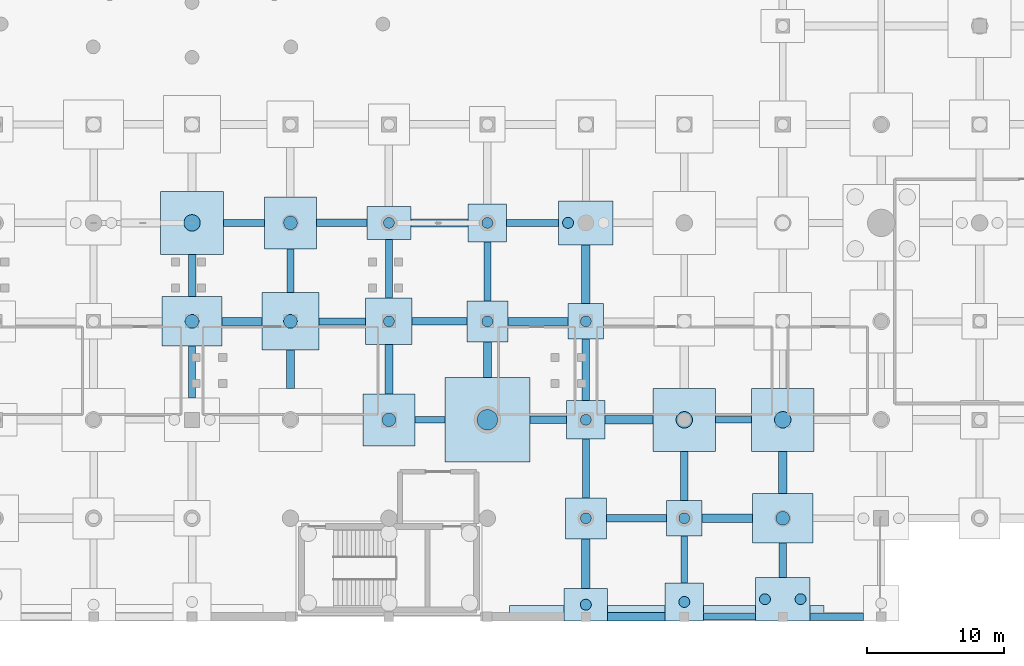
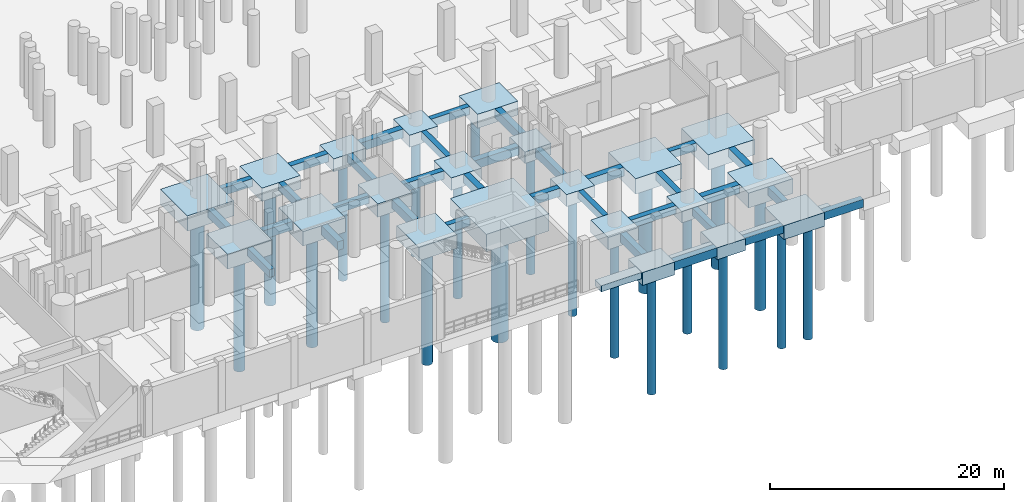
# One storey, part 4 of 37: 55 footings, 22 piles.
"""IFC4 building model written with IfcOpenShell, lengths in metres."""

from ifc_helpers import new_model, si_unit, direction, frame, origin, origin_2d, place, context, subcontext, project, spatial, rectangle, circle, extrude, material, material_profile, profile_set, type_object, element, save


model = new_model("IFC4")

# Units and contexts
model_context = context("Model", 3, precision=1e-05, world=origin(), true_north=direction((0.0, 1.0)))
body_context = subcontext(model_context, "Body", "Model", "MODEL_VIEW")
ifc_project = project(units=[si_unit("LENGTHUNIT", "METRE"), si_unit("AREAUNIT", "SQUARE_METRE"), si_unit("VOLUMEUNIT", "CUBIC_METRE"), si_unit("PLANEANGLEUNIT", "RADIAN"), si_unit("MASSUNIT", "GRAM", prefix="KILO")], contexts=[model_context])

# Site, building, storey
site_placement = place(None, origin())
site = spatial("IfcSite", under=ifc_project, at=site_placement, CompositionType="ELEMENT")
building_placement = place(site_placement, origin())
building = spatial("IfcBuilding", under=site, at=building_placement, Name="Qandorah Velis Arena", CompositionType="ELEMENT")
storey_placement = place(building_placement, frame((0.0, 0.0, -5.39990234375)))
storey = spatial("IfcBuildingStorey", under=building, at=storey_placement, Name="B1", CompositionType="ELEMENT", Elevation=-5.39990234375)

# Footings
ifc_material = material(Name="Concrete C40/50", Category="concrete")
footing_type_1 = type_object("IfcFootingType", Name="STR-CAP-PC1", PredefinedType="PILE_CAP", material=ifc_material)
footing_1_placement = place(storey_placement, frame((86.39990234375, 14.39990234375, -1.80029296875), z_axis=(0.0, 0.0, 1.0), x_axis=(1.0, 0.0, 0.0)))
element("IfcFooting", 1, at=footing_1_placement, inside=storey, type_object=footing_type_1, Name="Pile cap CAP-B1-174", PredefinedType="PILE_CAP", context=body_context, shape_type="SweptSolid", body=[
    extrude(rectangle(XDim=6.199951171875, YDim=6.199951171875, at=origin_2d()), origin(), (0.0, 0.0, 1.0), 1.800048828125),
])
footing_type_2 = type_object("IfcFootingType", Name="STR-CAP-PC10", PredefinedType="PILE_CAP", material=ifc_material)
for number, where, z_axis, x_axis, name in (
    (2, (93.60009765625, 21.60009765625, -1.2001953125), (0.0, 0.0, 1.0), (1.0, 0.0, 0.0), "Pile cap CAP-B1-187"),
    (3, (100.800048828125, 7.199951171875, -1.2001953125), (0.0, 0.0, 1.0), (1.0, 0.0, 0.0), "Pile cap CAP-B1-197"),
):
    element("IfcFooting", number, at=place(storey_placement, frame(where, z_axis=z_axis, x_axis=x_axis)), inside=storey, type_object=footing_type_2, Name=name, PredefinedType="PILE_CAP", context=body_context, shape_type="SweptSolid", body=[
        extrude(rectangle(XDim=2.60009765625, YDim=2.60009765625, at=origin_2d()), origin(), (0.0, 0.0, 1.0), 1.199951171875),
    ])
footing_type_3 = type_object("IfcFootingType", Name="STR-CAP-PC14", PredefinedType="PILE_CAP", material=ifc_material)
for number, where, z_axis, x_axis, name in (
    (4, (93.60009765625, 28.800048828125, -1.4501953125), (0.0, 0.0, 1.0), (1.0, 0.0, 0.0), "Pile cap CAP-B1-188"),
    (5, (108.0, 1.280029296875, -1.4501953125), (0.0, 0.0, 1.0), (1.0, 0.0, 0.0), "Pile cap CAP-B1-208"),
):
    element("IfcFooting", number, at=place(storey_placement, frame(where, z_axis=z_axis, x_axis=x_axis)), inside=storey, type_object=footing_type_3, Name=name, PredefinedType="PILE_CAP", context=body_context, shape_type="SweptSolid", body=[
        extrude(rectangle(XDim=4.0, YDim=3.199951171875, at=origin_2d()), origin(), (0.0, 0.0, 1.0), 1.449951171875),
    ])
footing_type_4 = type_object("IfcFootingType", Name="STR-CAP-PC15", PredefinedType="PILE_CAP", material=ifc_material)
for number, where, z_axis, x_axis, name in (
    (6, (64.800048828125, 21.60009765625, -1.55029296875), (0.0, 0.0, 1.0), (1.0, 0.0, 0.0), "Pile cap CAP-B1-139"),
    (7, (108.0, 7.199951171875, -1.55029296875), (0.0, 0.0, 1.0), (1.0, 0.0, 0.0), "Pile cap CAP-B1-209"),
):
    element("IfcFooting", number, at=place(storey_placement, frame(where, z_axis=z_axis, x_axis=x_axis)), inside=storey, type_object=footing_type_4, Name=name, PredefinedType="PILE_CAP", context=body_context, shape_type="SweptSolid", body=[
        extrude(rectangle(XDim=4.39990234375, YDim=3.60009765625, at=origin_2d()), origin(), (0.0, 0.0, 1.0), 1.550048828125),
    ])
footing_type_5 = type_object("IfcFootingType", Name="STR-CAP-PC3", PredefinedType="PILE_CAP", material=ifc_material)
for number, where, z_axis, x_axis, name in (
    (8, (64.800048828125, 28.800048828125, -1.60009765625), (0.0, 0.0, 1.0), (1.0, 0.0, 0.0), "Pile cap CAP-B1-140"),
    (9, (100.800048828125, 14.39990234375, -1.60009765625), (0.0, 0.0, 1.0), (1.0, 0.0, 0.0), "Pile cap CAP-B1-198"),
    (10, (108.0, 14.39990234375, -1.60009765625), (0.0, 0.0, 1.0), (1.0, 0.0, 0.0), "Pile cap CAP-B1-210"),
):
    element("IfcFooting", number, at=place(storey_placement, frame(where, z_axis=z_axis, x_axis=x_axis)), inside=storey, type_object=footing_type_5, Name=name, PredefinedType="PILE_CAP", context=body_context, shape_type="SweptSolid", body=[
        extrude(rectangle(XDim=4.60009765625, YDim=4.60009765625, at=origin_2d()), origin(), (0.0, 0.0, 1.0), 1.60009765625),
    ])
footing_type_6 = type_object("IfcFootingType", Name="STR-CAP-PC4", PredefinedType="PILE_CAP", material=ifc_material)
footing_2_placement = place(storey_placement, frame((72.0, 21.60009765625, -1.5), z_axis=(0.0, 0.0, 1.0), x_axis=(1.0, 0.0, 0.0)))
element("IfcFooting", 11, at=footing_2_placement, inside=storey, type_object=footing_type_6, Name="Pile cap CAP-B1-151", PredefinedType="PILE_CAP", context=body_context, shape_type="SweptSolid", body=[
    extrude(rectangle(XDim=4.199951171875, YDim=4.199951171875, at=origin_2d()), origin(), (0.0, 0.0, 1.0), 1.5),
])
footing_type_7 = type_object("IfcFootingType", Name="STR-CAP-PC5", PredefinedType="PILE_CAP", material=ifc_material)
for number, where, z_axis, x_axis, name in (
    (12, (72.0, 28.800048828125, -1.400146484375), (0.0, 0.0, 1.0), (1.0, 0.0, 0.0), "Pile cap CAP-B1-152"),
    (13, (79.199951171875, 14.39990234375, -1.400146484375), (0.0, 0.0, 1.0), (1.0, 0.0, 0.0), "Pile cap CAP-B1-162"),
):
    element("IfcFooting", number, at=place(storey_placement, frame(where, z_axis=z_axis, x_axis=x_axis)), inside=storey, type_object=footing_type_7, Name=name, PredefinedType="PILE_CAP", context=body_context, shape_type="SweptSolid", body=[
        extrude(rectangle(XDim=3.800048828125, YDim=3.800048828125, at=origin_2d()), origin(), (0.0, 0.0, 1.0), 1.39990234375),
    ])
footing_type_8 = type_object("IfcFootingType", Name="STR-CAP-PC6", PredefinedType="PILE_CAP", material=ifc_material)
footing_3_placement = place(storey_placement, frame((79.199951171875, 21.60009765625, -1.400146484375), z_axis=(0.0, 0.0, 1.0), x_axis=(1.0, 0.0, 0.0)))
element("IfcFooting", 14, at=footing_3_placement, inside=storey, type_object=footing_type_8, Name="Pile cap CAP-B1-163", PredefinedType="PILE_CAP", context=body_context, shape_type="SweptSolid", body=[
    extrude(rectangle(XDim=3.39990234375, YDim=3.39990234375, at=origin_2d()), origin(), (0.0, 0.0, 1.0), 1.39990234375),
])
footing_type_9 = type_object("IfcFootingType", Name="STR-CAP-PC7", PredefinedType="PILE_CAP", material=ifc_material)
for number, where, z_axis, x_axis, name in (
    (15, (79.199951171875, 28.800048828125, -1.35009765625), (0.0, 0.0, 1.0), (1.0, 0.0, 0.0), "Pile cap CAP-B1-164"),
    (16, (93.60009765625, 0.8798828125, -1.35009765625), (0.0, 0.0, 1.0), (1.0, 0.0, 0.0), "Pile cap CAP-B1-184"),
):
    element("IfcFooting", number, at=place(storey_placement, frame(where, z_axis=z_axis, x_axis=x_axis)), inside=storey, type_object=footing_type_9, Name=name, PredefinedType="PILE_CAP", context=body_context, shape_type="SweptSolid", body=[
        extrude(rectangle(XDim=3.199951171875, YDim=2.39990234375, at=origin_2d()), origin(), (0.0, 0.0, 1.0), 1.35009765625),
    ])
footing_type_10 = type_object("IfcFootingType", Name="STR-CAP-PC8", PredefinedType="PILE_CAP", material=ifc_material)
for number, where, z_axis, x_axis, name in (
    (17, (86.39990234375, 21.60009765625, -1.30029296875), (0.0, 0.0, 1.0), (1.0, 0.0, 0.0), "Pile cap CAP-B1-175"),
    (18, (93.60009765625, 7.199951171875, -1.30029296875), (0.0, 0.0, 1.0), (1.0, 0.0, 0.0), "Pile cap CAP-B1-185"),
):
    element("IfcFooting", number, at=place(storey_placement, frame(where, z_axis=z_axis, x_axis=x_axis)), inside=storey, type_object=footing_type_10, Name=name, PredefinedType="PILE_CAP", context=body_context, shape_type="SweptSolid", body=[
        extrude(rectangle(XDim=3.0, YDim=3.0, at=origin_2d()), origin(), (0.0, 0.0, 1.0), 1.300048828125),
    ])
footing_type_11 = type_object("IfcFootingType", Name="STR-CAP-PC9", PredefinedType="PILE_CAP", material=ifc_material)
for number, where, z_axis, x_axis, name in (
    (19, (86.39990234375, 28.800048828125, -1.25), (0.0, 0.0, 1.0), (1.0, 0.0, 0.0), "Pile cap CAP-B1-176"),
    (20, (93.60009765625, 14.39990234375, -1.25), (0.0, 0.0, 1.0), (1.0, 0.0, 0.0), "Pile cap CAP-B1-186"),
    (21, (100.800048828125, 1.080078125, -1.25), (0.0, 0.0, 1.0), (1.0, 0.0, 0.0), "Pile cap CAP-B1-196"),
):
    element("IfcFooting", number, at=place(storey_placement, frame(where, z_axis=z_axis, x_axis=x_axis)), inside=storey, type_object=footing_type_11, Name=name, PredefinedType="PILE_CAP", context=body_context, shape_type="SweptSolid", body=[
        extrude(rectangle(XDim=2.800048828125, YDim=2.800048828125, at=origin_2d()), origin(), (0.0, 0.0, 1.0), 1.25),
    ])
ifc_material_profile_1 = material_profile(ifc_material, rectangle(XDim=0.60009765625, YDim=0.89990234375, at=origin_2d()), Name="GB1 600x900")
ifc_profile_set_1 = profile_set([ifc_material_profile_1], Name="Concrete C40/50")
footing_type_12 = type_object("IfcFootingType", Name="STR-GB-FB1", PredefinedType="FOOTING_BEAM", material=ifc_profile_set_1)
footing_4_placement = place(storey_placement, frame((72.0, 16.699951171875, -0.4501953125), z_axis=(0.0, 1.0, 0.0), x_axis=(-1.0, 0.0, 0.0)))
element("IfcFooting", 22, at=footing_4_placement, inside=storey, type_object=footing_type_12, Name="Ground tie beam GB-105", PredefinedType="FOOTING_BEAM", context=body_context, shape_type="SweptSolid", body=[
    extrude(rectangle(XDim=0.60009765625, YDim=0.89990234375, at=origin_2d()), origin(), (0.0, 0.0, 1.0), 2.800048828125),
])
footing_5_placement = place(storey_placement, frame((79.199951171875, 16.300048828125, -0.4501953125), z_axis=(0.0, 1.0, 0.0), x_axis=(-1.0, 0.0, 0.0)))
element("IfcFooting", 23, at=footing_5_placement, inside=storey, type_object=footing_type_12, Name="Ground tie beam GB-111", PredefinedType="FOOTING_BEAM", context=body_context, shape_type="SweptSolid", body=[
    extrude(rectangle(XDim=0.60009765625, YDim=0.89990234375, at=origin_2d()), origin(), (0.0, 0.0, 1.0), 3.599853515625),
])
footing_6_placement = place(storey_placement, frame((86.39990234375, 17.5, -0.4501953125), z_axis=(0.0, 1.0, 0.0), x_axis=(-1.0, 0.0, 0.0)))
element("IfcFooting", 24, at=footing_6_placement, inside=storey, type_object=footing_type_12, Name="Ground tie beam GB-117", PredefinedType="FOOTING_BEAM", context=body_context, shape_type="SweptSolid", body=[
    extrude(rectangle(XDim=0.60009765625, YDim=0.89990234375, at=origin_2d()), origin(), (0.0, 0.0, 1.0), 2.60009765625),
])
footing_7_placement = place(storey_placement, frame((93.60009765625, 2.080078125, -0.4501953125), z_axis=(0.0, 1.0, 0.0), x_axis=(-1.0, 0.0, 0.0)))
element("IfcFooting", 25, at=footing_7_placement, inside=storey, type_object=footing_type_12, Name="Ground tie beam GB-123", PredefinedType="FOOTING_BEAM", context=body_context, shape_type="SweptSolid", body=[
    extrude(rectangle(XDim=0.60009765625, YDim=0.89990234375, at=origin_2d()), origin(), (0.0, 0.0, 1.0), 3.619873046875),
])
footing_8_placement = place(storey_placement, frame((93.60009765625, 22.89990234375, -0.4501953125), z_axis=(0.0, 1.0, 0.0), x_axis=(-1.0, 0.0, 0.0)))
element("IfcFooting", 26, at=footing_8_placement, inside=storey, type_object=footing_type_12, Name="Ground tie beam GB-126", PredefinedType="FOOTING_BEAM", context=body_context, shape_type="SweptSolid", body=[
    extrude(rectangle(XDim=0.60009765625, YDim=0.89990234375, at=origin_2d()), origin(), (0.0, 0.0, 1.0), 4.300048828125),
])
footing_9_placement = place(storey_placement, frame((108.0, 9.0, -0.4501953125), z_axis=(0.0, 1.0, 0.0), x_axis=(-1.0, 0.0, 0.0)))
element("IfcFooting", 27, at=footing_9_placement, inside=storey, type_object=footing_type_12, Name="Ground tie beam GB-144", PredefinedType="FOOTING_BEAM", context=body_context, shape_type="SweptSolid", body=[
    extrude(rectangle(XDim=0.60009765625, YDim=0.89990234375, at=origin_2d()), origin(), (0.0, 0.0, 1.0), 3.10009765625),
])
footing_10_placement = place(storey_placement, frame((95.199951171875, 0.0, -0.4501953125), z_axis=(1.0, 0.0, 0.0), x_axis=(0.0, 1.0, 0.0)))
element("IfcFooting", 28, at=footing_10_placement, inside=storey, type_object=footing_type_12, Name="Ground tie beam GB-276", PredefinedType="FOOTING_BEAM", context=body_context, shape_type="SweptSolid", body=[
    extrude(rectangle(XDim=0.60009765625, YDim=0.89990234375, at=origin_2d()), origin(), (0.0, 0.0, 1.0), 4.199951171875),
])
footing_11_placement = place(storey_placement, frame((102.10009765625, 7.199951171875, -0.4501953125), z_axis=(1.0, 0.0, 0.0), x_axis=(0.0, 1.0, 0.0)))
element("IfcFooting", 29, at=footing_11_placement, inside=storey, type_object=footing_type_12, Name="Ground tie beam GB-285", PredefinedType="FOOTING_BEAM", context=body_context, shape_type="SweptSolid", body=[
    extrude(rectangle(XDim=0.60009765625, YDim=0.89990234375, at=origin_2d()), origin(), (0.0, 0.0, 1.0), 3.699951171875),
])
footing_12_placement = place(storey_placement, frame((95.0, 14.39990234375, -0.4501953125), z_axis=(1.0, 0.0, 0.0), x_axis=(0.0, 1.0, 0.0)))
element("IfcFooting", 30, at=footing_12_placement, inside=storey, type_object=footing_type_12, Name="Ground tie beam GB-306", PredefinedType="FOOTING_BEAM", context=body_context, shape_type="SweptSolid", body=[
    extrude(rectangle(XDim=0.60009765625, YDim=0.89990234375, at=origin_2d()), origin(), (0.0, 0.0, 1.0), 3.5),
])
footing_13_placement = place(storey_placement, frame((67.0, 21.60009765625, -0.4501953125), z_axis=(1.0, 0.0, 0.0), x_axis=(0.0, 1.0, 0.0)))
element("IfcFooting", 31, at=footing_13_placement, inside=storey, type_object=footing_type_12, Name="Ground tie beam GB-324", PredefinedType="FOOTING_BEAM", context=body_context, shape_type="SweptSolid", body=[
    extrude(rectangle(XDim=0.60009765625, YDim=0.89990234375, at=origin_2d()), origin(), (0.0, 0.0, 1.0), 2.89990234375),
])
footing_14_placement = place(storey_placement, frame((87.89990234375, 21.60009765625, -0.4501953125), z_axis=(1.0, 0.0, 0.0), x_axis=(0.0, 1.0, 0.0)))
element("IfcFooting", 32, at=footing_14_placement, inside=storey, type_object=footing_type_12, Name="Ground tie beam GB-327", PredefinedType="FOOTING_BEAM", context=body_context, shape_type="SweptSolid", body=[
    extrude(rectangle(XDim=0.60009765625, YDim=0.89990234375, at=origin_2d()), origin(), (0.0, 0.0, 1.0), 4.400146484375),
])
footing_15_placement = place(storey_placement, frame((80.800048828125, 28.800048828125, -0.4501953125), z_axis=(1.0, 0.0, 0.0), x_axis=(0.0, 1.0, 0.0)))
element("IfcFooting", 33, at=footing_15_placement, inside=storey, type_object=footing_type_12, Name="Ground tie beam GB-348", PredefinedType="FOOTING_BEAM", context=body_context, shape_type="SweptSolid", body=[
    extrude(rectangle(XDim=0.60009765625, YDim=0.89990234375, at=origin_2d()), origin(), (0.0, 0.0, 1.0), 4.199951171875),
])
ifc_material_profile_2 = material_profile(ifc_material, rectangle(XDim=0.5, YDim=0.800048828125, at=origin_2d()), Name="GB2 500x800")
ifc_profile_set_2 = profile_set([ifc_material_profile_2], Name="Concrete C40/50")
footing_type_13 = type_object("IfcFootingType", Name="STR-GB-FB2", PredefinedType="FOOTING_BEAM", material=ifc_profile_set_2)
footing_16_placement = place(storey_placement, frame((64.800048828125, 16.0, -0.400146484375), z_axis=(0.0, 1.0, 0.0), x_axis=(-1.0, 0.0, 0.0)))
element("IfcFooting", 34, at=footing_16_placement, inside=storey, type_object=footing_type_13, Name="Ground tie beam GB-097", PredefinedType="FOOTING_BEAM", context=body_context, shape_type="SweptSolid", body=[
    extrude(rectangle(XDim=0.5, YDim=0.800048828125, at=origin_2d()), origin(), (0.0, 0.0, 1.0), 3.800048828125),
])
footing_17_placement = place(storey_placement, frame((72.0, 23.699951171875, -0.400146484375), z_axis=(0.0, 1.0, 0.0), x_axis=(-1.0, 0.0, 0.0)))
element("IfcFooting", 35, at=footing_17_placement, inside=storey, type_object=footing_type_13, Name="Ground tie beam GB-106", PredefinedType="FOOTING_BEAM", context=body_context, shape_type="SweptSolid", body=[
    extrude(rectangle(XDim=0.5, YDim=0.800048828125, at=origin_2d()), origin(), (0.0, 0.0, 1.0), 3.199951171875),
])
footing_18_placement = place(storey_placement, frame((79.199951171875, 23.300048828125, -0.400146484375), z_axis=(0.0, 1.0, 0.0), x_axis=(-1.0, 0.0, 0.0)))
element("IfcFooting", 36, at=footing_18_placement, inside=storey, type_object=footing_type_13, Name="Ground tie beam GB-112", PredefinedType="FOOTING_BEAM", context=body_context, shape_type="SweptSolid", body=[
    extrude(rectangle(XDim=0.5, YDim=0.800048828125, at=origin_2d()), origin(), (0.0, 0.0, 1.0), 4.300048828125),
])
footing_19_placement = place(storey_placement, frame((86.39990234375, 23.10009765625, -0.400146484375), z_axis=(0.0, 1.0, 0.0), x_axis=(-1.0, 0.0, 0.0)))
element("IfcFooting", 37, at=footing_19_placement, inside=storey, type_object=footing_type_13, Name="Ground tie beam GB-118", PredefinedType="FOOTING_BEAM", context=body_context, shape_type="SweptSolid", body=[
    extrude(rectangle(XDim=0.5, YDim=0.800048828125, at=origin_2d()), origin(), (0.0, 0.0, 1.0), 4.2998046875),
])
footing_20_placement = place(storey_placement, frame((93.60009765625, 8.699951171875, -0.400146484375), z_axis=(0.0, 1.0, 0.0), x_axis=(-1.0, 0.0, 0.0)))
element("IfcFooting", 38, at=footing_20_placement, inside=storey, type_object=footing_type_13, Name="Ground tie beam GB-124", PredefinedType="FOOTING_BEAM", context=body_context, shape_type="SweptSolid", body=[
    extrude(rectangle(XDim=0.5, YDim=0.800048828125, at=origin_2d()), origin(), (0.0, 0.0, 1.0), 4.300048828125),
])
footing_21_placement = place(storey_placement, frame((100.800048828125, 2.47998046875, -0.400146484375), z_axis=(0.0, 1.0, 0.0), x_axis=(-1.0, 0.0, 0.0)))
element("IfcFooting", 39, at=footing_21_placement, inside=storey, type_object=footing_type_13, Name="Ground tie beam GB-133", PredefinedType="FOOTING_BEAM", context=body_context, shape_type="SweptSolid", body=[
    extrude(rectangle(XDim=0.5, YDim=0.800048828125, at=origin_2d()), origin(), (0.0, 0.0, 1.0), 3.419921875),
])
footing_22_placement = place(storey_placement, frame((102.199951171875, 0.0, -0.400146484375), z_axis=(1.0, 0.0, 0.0), x_axis=(0.0, 1.0, 0.0)))
element("IfcFooting", 40, at=footing_22_placement, inside=storey, type_object=footing_type_13, Name="Ground tie beam GB-277", PredefinedType="FOOTING_BEAM", context=body_context, shape_type="SweptSolid", body=[
    extrude(rectangle(XDim=0.5, YDim=0.800048828125, at=origin_2d()), origin(), (0.0, 0.0, 1.0), 3.800048828125),
])
footing_23_placement = place(storey_placement, frame((81.10009765625, 14.39990234375, -0.400146484375), z_axis=(1.0, 0.0, 0.0), x_axis=(0.0, 1.0, 0.0)))
element("IfcFooting", 41, at=footing_23_placement, inside=storey, type_object=footing_type_13, Name="Ground tie beam GB-304", PredefinedType="FOOTING_BEAM", context=body_context, shape_type="SweptSolid", body=[
    extrude(rectangle(XDim=0.5, YDim=0.800048828125, at=origin_2d()), origin(), (0.0, 0.0, 1.0), 2.199951171875),
])
footing_24_placement = place(storey_placement, frame((103.10009765625, 14.39990234375, -0.400146484375), z_axis=(1.0, 0.0, 0.0), x_axis=(0.0, 1.0, 0.0)))
element("IfcFooting", 42, at=footing_24_placement, inside=storey, type_object=footing_type_13, Name="Ground tie beam GB-307", PredefinedType="FOOTING_BEAM", context=body_context, shape_type="SweptSolid", body=[
    extrude(rectangle(XDim=0.5, YDim=0.800048828125, at=origin_2d()), origin(), (0.0, 0.0, 1.0), 2.599853515625),
])
footing_25_placement = place(storey_placement, frame((74.10009765625, 21.60009765625, -0.400146484375), z_axis=(1.0, 0.0, 0.0), x_axis=(0.0, 1.0, 0.0)))
element("IfcFooting", 43, at=footing_25_placement, inside=storey, type_object=footing_type_13, Name="Ground tie beam GB-325", PredefinedType="FOOTING_BEAM", context=body_context, shape_type="SweptSolid", body=[
    extrude(rectangle(XDim=0.5, YDim=0.800048828125, at=origin_2d()), origin(), (0.0, 0.0, 1.0), 3.39990234375),
])
footing_26_placement = place(storey_placement, frame((67.10009765625, 28.800048828125, -0.400146484375), z_axis=(1.0, 0.0, 0.0), x_axis=(0.0, 1.0, 0.0)))
element("IfcFooting", 44, at=footing_26_placement, inside=storey, type_object=footing_type_13, Name="Ground tie beam GB-346", PredefinedType="FOOTING_BEAM", context=body_context, shape_type="SweptSolid", body=[
    extrude(rectangle(XDim=0.5, YDim=0.800048828125, at=origin_2d()), origin(), (0.0, 0.0, 1.0), 3.0),
])
footing_27_placement = place(storey_placement, frame((87.800048828125, 28.800048828125, -0.400146484375), z_axis=(1.0, 0.0, 0.0), x_axis=(0.0, 1.0, 0.0)))
element("IfcFooting", 45, at=footing_27_placement, inside=storey, type_object=footing_type_13, Name="Ground tie beam GB-349", PredefinedType="FOOTING_BEAM", context=body_context, shape_type="SweptSolid", body=[
    extrude(rectangle(XDim=0.5, YDim=0.800048828125, at=origin_2d()), origin(), (0.0, 0.0, 1.0), 3.800048828125),
])
ifc_material_profile_3 = material_profile(ifc_material, rectangle(XDim=0.550048828125, YDim=0.85009765625, at=origin_2d()), Name="GB3 550x850")
ifc_profile_set_3 = profile_set([ifc_material_profile_3], Name="Concrete C40/50")
footing_type_14 = type_object("IfcFootingType", Name="STR-GB-FB3", PredefinedType="FOOTING_BEAM", material=ifc_profile_set_3)
footing_28_placement = place(storey_placement, frame((64.800048828125, 23.39990234375, -0.425048828125), z_axis=(0.0, 1.0, 0.0), x_axis=(-1.0, 0.0, 0.0)))
element("IfcFooting", 46, at=footing_28_placement, inside=storey, type_object=footing_type_14, Name="Ground tie beam GB-098", PredefinedType="FOOTING_BEAM", context=body_context, shape_type="SweptSolid", body=[
    extrude(rectangle(XDim=0.550048828125, YDim=0.85009765625, at=origin_2d()), origin(), (0.0, 0.0, 1.0), 3.10009765625),
])
footing_29_placement = place(storey_placement, frame((93.60009765625, 15.800048828125, -0.425048828125), z_axis=(0.0, 1.0, 0.0), x_axis=(-1.0, 0.0, 0.0)))
element("IfcFooting", 47, at=footing_29_placement, inside=storey, type_object=footing_type_14, Name="Ground tie beam GB-125", PredefinedType="FOOTING_BEAM", context=body_context, shape_type="SweptSolid", body=[
    extrude(rectangle(XDim=0.550048828125, YDim=0.85009765625, at=origin_2d()), origin(), (0.0, 0.0, 1.0), 4.5),
])
footing_30_placement = place(storey_placement, frame((100.800048828125, 8.5, -0.425048828125), z_axis=(0.0, 1.0, 0.0), x_axis=(-1.0, 0.0, 0.0)))
element("IfcFooting", 48, at=footing_30_placement, inside=storey, type_object=footing_type_14, Name="Ground tie beam GB-134", PredefinedType="FOOTING_BEAM", context=body_context, shape_type="SweptSolid", body=[
    extrude(rectangle(XDim=0.550048828125, YDim=0.85009765625, at=origin_2d()), origin(), (0.0, 0.0, 1.0), 3.60009765625),
])
footing_31_placement = place(storey_placement, frame((108.0, 2.8798828125, -0.425048828125), z_axis=(0.0, 1.0, 0.0), x_axis=(-1.0, 0.0, 0.0)))
element("IfcFooting", 49, at=footing_31_placement, inside=storey, type_object=footing_type_14, Name="Ground tie beam GB-143", PredefinedType="FOOTING_BEAM", context=body_context, shape_type="SweptSolid", body=[
    extrude(rectangle(XDim=0.550048828125, YDim=0.85009765625, at=origin_2d()), origin(), (0.0, 0.0, 1.0), 2.52001953125),
])
footing_32_placement = place(storey_placement, frame((110.0, 0.0, -0.425048828125), z_axis=(1.0, 0.0, 0.0), x_axis=(0.0, 1.0, 0.0)))
element("IfcFooting", 50, at=footing_32_placement, inside=storey, type_object=footing_type_14, Name="Ground tie beam GB-278", PredefinedType="FOOTING_BEAM", context=body_context, shape_type="SweptSolid", body=[
    extrude(rectangle(XDim=0.550048828125, YDim=0.85009765625, at=origin_2d()), origin(), (0.0, 0.0, 1.0), 3.89990234375),
])
footing_33_placement = place(storey_placement, frame((95.10009765625, 7.199951171875, -0.425048828125), z_axis=(1.0, 0.0, 0.0), x_axis=(0.0, 1.0, 0.0)))
element("IfcFooting", 51, at=footing_33_placement, inside=storey, type_object=footing_type_14, Name="Ground tie beam GB-284", PredefinedType="FOOTING_BEAM", context=body_context, shape_type="SweptSolid", body=[
    extrude(rectangle(XDim=0.550048828125, YDim=0.85009765625, at=origin_2d()), origin(), (0.0, 0.0, 1.0), 4.39990234375),
])
footing_34_placement = place(storey_placement, frame((89.5, 14.39990234375, -0.425048828125), z_axis=(1.0, 0.0, 0.0), x_axis=(0.0, 1.0, 0.0)))
element("IfcFooting", 52, at=footing_34_placement, inside=storey, type_object=footing_type_14, Name="Ground tie beam GB-305", PredefinedType="FOOTING_BEAM", context=body_context, shape_type="SweptSolid", body=[
    extrude(rectangle(XDim=0.550048828125, YDim=0.85009765625, at=origin_2d()), origin(), (0.0, 0.0, 1.0), 2.699951171875),
])
footing_35_placement = place(storey_placement, frame((80.89990234375, 21.60009765625, -0.425048828125), z_axis=(1.0, 0.0, 0.0), x_axis=(0.0, 1.0, 0.0)))
element("IfcFooting", 53, at=footing_35_placement, inside=storey, type_object=footing_type_14, Name="Ground tie beam GB-326", PredefinedType="FOOTING_BEAM", context=body_context, shape_type="SweptSolid", body=[
    extrude(rectangle(XDim=0.550048828125, YDim=0.85009765625, at=origin_2d()), origin(), (0.0, 0.0, 1.0), 4.0),
])
footing_36_placement = place(storey_placement, frame((73.89990234375, 28.800048828125, -0.425048828125), z_axis=(1.0, 0.0, 0.0), x_axis=(0.0, 1.0, 0.0)))
element("IfcFooting", 54, at=footing_36_placement, inside=storey, type_object=footing_type_14, Name="Ground tie beam GB-347", PredefinedType="FOOTING_BEAM", context=body_context, shape_type="SweptSolid", body=[
    extrude(rectangle(XDim=0.550048828125, YDim=0.85009765625, at=origin_2d()), origin(), (0.0, 0.0, 1.0), 3.7001953125),
])

# Piles
ifc_material_profile_4 = material_profile(ifc_material, circle(Radius=0.5, at=origin_2d()), Name="BORED PILE D1000")
ifc_profile_set_4 = profile_set([ifc_material_profile_4], Name="Concrete C40/50")
pile_type_1 = type_object("IfcPileType", Name="STR-PILE-BP1000", PredefinedType="BORED", material=ifc_profile_set_4)
pile_1_placement = place(storey_placement, frame((64.800048828125, 21.60009765625, -1.4501953125), z_axis=(0.0, 0.0, -1.0), x_axis=(1.0, 0.0, 0.0)))
element("IfcPile", 55, at=pile_1_placement, inside=storey, type_object=pile_type_1, Name="Bored pile PILE-CAP-B1-139-11", PredefinedType="BORED", context=body_context, shape_type="SweptSolid", body=[
    extrude(circle(Radius=0.5, at=origin_2d()), origin(), (0.0, 0.0, 1.0), 12.35009765625),
])
pile_2_placement = place(storey_placement, frame((72.0, 21.60009765625, -1.400146484375), z_axis=(0.0, 0.0, -1.0), x_axis=(1.0, 0.0, 0.0)))
element("IfcPile", 56, at=pile_2_placement, inside=storey, type_object=pile_type_1, Name="Bored pile PILE-CAP-B1-151-11", PredefinedType="BORED", context=body_context, shape_type="SweptSolid", body=[
    extrude(circle(Radius=0.5, at=origin_2d()), origin(), (0.0, 0.0, 1.0), 12.39990234375),
])
for number, where, z_axis, x_axis, name in (
    (57, (72.0, 28.800048828125, -1.300048828125), (0.0, 0.0, -1.0), (1.0, 0.0, 0.0), "Bored pile PILE-CAP-B1-152-11"),
    (58, (79.199951171875, 14.39990234375, -1.300048828125), (0.0, 0.0, -1.0), (1.0, 0.0, 0.0), "Bored pile PILE-CAP-B1-162-11"),
):
    element("IfcPile", number, at=place(storey_placement, frame(where, z_axis=z_axis, x_axis=x_axis)), inside=storey, type_object=pile_type_1, Name=name, PredefinedType="BORED", context=body_context, shape_type="SweptSolid", body=[
        extrude(circle(Radius=0.5, at=origin_2d()), origin(), (0.0, 0.0, 1.0), 12.5),
    ])
pile_3_placement = place(storey_placement, frame((108.0, 7.199951171875, -1.4501953125), z_axis=(0.0, 0.0, -1.0), x_axis=(1.0, 0.0, 0.0)))
element("IfcPile", 59, at=pile_3_placement, inside=storey, type_object=pile_type_1, Name="Bored pile PILE-CAP-B1-209-11", PredefinedType="BORED", context=body_context, shape_type="SweptSolid", body=[
    extrude(circle(Radius=0.5, at=origin_2d()), origin(), (0.0, 0.0, 1.0), 12.35009765625),
])
ifc_material_profile_5 = material_profile(ifc_material, circle(Radius=0.60009765625, at=origin_2d()), Name="BORED PILE D1200")
ifc_profile_set_5 = profile_set([ifc_material_profile_5], Name="Concrete C40/50")
pile_type_2 = type_object("IfcPileType", Name="STR-PILE-BP1200", PredefinedType="BORED", material=ifc_profile_set_5)
for number, where, z_axis, x_axis, name in (
    (60, (64.800048828125, 28.800048828125, -1.5), (0.0, 0.0, -1.0), (1.0, 0.0, 0.0), "Bored pile PILE-CAP-B1-140-11"),
    (61, (100.800048828125, 14.39990234375, -1.5), (0.0, 0.0, -1.0), (1.0, 0.0, 0.0), "Bored pile PILE-CAP-B1-198-11"),
    (62, (108.0, 14.39990234375, -1.5), (0.0, 0.0, -1.0), (1.0, 0.0, 0.0), "Bored pile PILE-CAP-B1-210-11"),
):
    element("IfcPile", number, at=place(storey_placement, frame(where, z_axis=z_axis, x_axis=x_axis)), inside=storey, type_object=pile_type_2, Name=name, PredefinedType="BORED", context=body_context, shape_type="SweptSolid", body=[
        extrude(circle(Radius=0.60009765625, at=origin_2d()), origin(), (0.0, 0.0, 1.0), 12.300048828125),
    ])
ifc_material_profile_6 = material_profile(ifc_material, circle(Radius=0.75, at=origin_2d()), Name="BORED PILE D1500")
ifc_profile_set_6 = profile_set([ifc_material_profile_6], Name="Concrete C40/50")
pile_type_3 = type_object("IfcPileType", Name="STR-PILE-BP1500", PredefinedType="BORED", material=ifc_profile_set_6)
pile_4_placement = place(storey_placement, frame((86.39990234375, 14.39990234375, -1.7001953125), z_axis=(0.0, 0.0, -1.0), x_axis=(1.0, 0.0, 0.0)))
element("IfcPile", 63, at=pile_4_placement, inside=storey, type_object=pile_type_3, Name="Bored pile PILE-CAP-B1-174-11", PredefinedType="BORED", context=body_context, shape_type="SweptSolid", body=[
    extrude(circle(Radius=0.75, at=origin_2d()), origin(), (0.0, 0.0, 1.0), 12.10009765625),
])
ifc_material_profile_7 = material_profile(ifc_material, circle(Radius=0.39990234375, at=origin_2d()), Name="BORED PILE D800")
ifc_profile_set_7 = profile_set([ifc_material_profile_7], Name="Concrete C40/50")
pile_type_4 = type_object("IfcPileType", Name="STR-PILE-BP800", PredefinedType="BORED", material=ifc_profile_set_7)
pile_5_placement = place(storey_placement, frame((79.199951171875, 21.60009765625, -1.300048828125), z_axis=(0.0, 0.0, -1.0), x_axis=(1.0, 0.0, 0.0)))
element("IfcPile", 64, at=pile_5_placement, inside=storey, type_object=pile_type_4, Name="Bored pile PILE-CAP-B1-163-11", PredefinedType="BORED", context=body_context, shape_type="SweptSolid", body=[
    extrude(circle(Radius=0.39990234375, at=origin_2d()), origin(), (0.0, 0.0, 1.0), 12.5),
])
pile_6_placement = place(storey_placement, frame((79.199951171875, 28.800048828125, -1.25), z_axis=(0.0, 0.0, -1.0), x_axis=(1.0, 0.0, 0.0)))
element("IfcPile", 65, at=pile_6_placement, inside=storey, type_object=pile_type_4, Name="Bored pile PILE-CAP-B1-164-11", PredefinedType="BORED", context=body_context, shape_type="SweptSolid", body=[
    extrude(circle(Radius=0.39990234375, at=origin_2d()), origin(), (0.0, 0.0, 1.0), 12.550048828125),
])
pile_7_placement = place(storey_placement, frame((86.39990234375, 21.60009765625, -1.2001953125), z_axis=(0.0, 0.0, -1.0), x_axis=(1.0, 0.0, 0.0)))
element("IfcPile", 66, at=pile_7_placement, inside=storey, type_object=pile_type_4, Name="Bored pile PILE-CAP-B1-175-11", PredefinedType="BORED", context=body_context, shape_type="SweptSolid", body=[
    extrude(circle(Radius=0.39990234375, at=origin_2d()), origin(), (0.0, 0.0, 1.0), 12.60009765625),
])
pile_8_placement = place(storey_placement, frame((86.39990234375, 28.800048828125, -1.150146484375), z_axis=(0.0, 0.0, -1.0), x_axis=(1.0, 0.0, 0.0)))
element("IfcPile", 67, at=pile_8_placement, inside=storey, type_object=pile_type_4, Name="Bored pile PILE-CAP-B1-176-11", PredefinedType="BORED", context=body_context, shape_type="SweptSolid", body=[
    extrude(circle(Radius=0.39990234375, at=origin_2d()), origin(), (0.0, 0.0, 1.0), 12.64990234375),
])
pile_9_placement = place(storey_placement, frame((93.60009765625, 0.8798828125, -1.25), z_axis=(0.0, 0.0, -1.0), x_axis=(1.0, 0.0, 0.0)))
element("IfcPile", 68, at=pile_9_placement, inside=storey, type_object=pile_type_4, Name="Bored pile PILE-CAP-B1-184-11", PredefinedType="BORED", context=body_context, shape_type="SweptSolid", body=[
    extrude(circle(Radius=0.39990234375, at=origin_2d()), origin(), (0.0, 0.0, 1.0), 12.550048828125),
])
pile_10_placement = place(storey_placement, frame((93.60009765625, 7.199951171875, -1.2001953125), z_axis=(0.0, 0.0, -1.0), x_axis=(1.0, 0.0, 0.0)))
element("IfcPile", 69, at=pile_10_placement, inside=storey, type_object=pile_type_4, Name="Bored pile PILE-CAP-B1-185-11", PredefinedType="BORED", context=body_context, shape_type="SweptSolid", body=[
    extrude(circle(Radius=0.39990234375, at=origin_2d()), origin(), (0.0, 0.0, 1.0), 12.60009765625),
])
pile_11_placement = place(storey_placement, frame((93.60009765625, 14.39990234375, -1.150146484375), z_axis=(0.0, 0.0, -1.0), x_axis=(1.0, 0.0, 0.0)))
element("IfcPile", 70, at=pile_11_placement, inside=storey, type_object=pile_type_4, Name="Bored pile PILE-CAP-B1-186-11", PredefinedType="BORED", context=body_context, shape_type="SweptSolid", body=[
    extrude(circle(Radius=0.39990234375, at=origin_2d()), origin(), (0.0, 0.0, 1.0), 12.64990234375),
])
pile_12_placement = place(storey_placement, frame((93.60009765625, 21.60009765625, -1.10009765625), z_axis=(0.0, 0.0, -1.0), x_axis=(1.0, 0.0, 0.0)))
element("IfcPile", 71, at=pile_12_placement, inside=storey, type_object=pile_type_4, Name="Bored pile PILE-CAP-B1-187-11", PredefinedType="BORED", context=body_context, shape_type="SweptSolid", body=[
    extrude(circle(Radius=0.39990234375, at=origin_2d()), origin(), (0.0, 0.0, 1.0), 12.699951171875),
])
pile_13_placement = place(storey_placement, frame((92.300048828125, 28.800048828125, -1.35009765625), z_axis=(0.0, 0.0, -1.0), x_axis=(1.0, 0.0, 0.0)))
element("IfcPile", 72, at=pile_13_placement, inside=storey, type_object=pile_type_4, Name="Bored pile PILE-CAP-B1-188-11", PredefinedType="BORED", context=body_context, shape_type="SweptSolid", body=[
    extrude(circle(Radius=0.39990234375, at=origin_2d()), origin(), (0.0, 0.0, 1.0), 12.449951171875),
])
pile_14_placement = place(storey_placement, frame((100.800048828125, 1.080078125, -1.150146484375), z_axis=(0.0, 0.0, -1.0), x_axis=(1.0, 0.0, 0.0)))
element("IfcPile", 73, at=pile_14_placement, inside=storey, type_object=pile_type_4, Name="Bored pile PILE-CAP-B1-196-11", PredefinedType="BORED", context=body_context, shape_type="SweptSolid", body=[
    extrude(circle(Radius=0.39990234375, at=origin_2d()), origin(), (0.0, 0.0, 1.0), 12.64990234375),
])
pile_15_placement = place(storey_placement, frame((100.800048828125, 7.199951171875, -1.10009765625), z_axis=(0.0, 0.0, -1.0), x_axis=(1.0, 0.0, 0.0)))
element("IfcPile", 74, at=pile_15_placement, inside=storey, type_object=pile_type_4, Name="Bored pile PILE-CAP-B1-197-11", PredefinedType="BORED", context=body_context, shape_type="SweptSolid", body=[
    extrude(circle(Radius=0.39990234375, at=origin_2d()), origin(), (0.0, 0.0, 1.0), 12.699951171875),
])
for number, where, z_axis, x_axis, name in (
    (75, (106.699951171875, 1.280029296875, -1.35009765625), (0.0, 0.0, -1.0), (1.0, 0.0, 0.0), "Bored pile PILE-CAP-B1-208-11"),
    (76, (109.300048828125, 1.280029296875, -1.35009765625), (0.0, 0.0, -1.0), (1.0, 0.0, 0.0), "Bored pile PILE-CAP-B1-208-21"),
):
    element("IfcPile", number, at=place(storey_placement, frame(where, z_axis=z_axis, x_axis=x_axis)), inside=storey, type_object=pile_type_4, Name=name, PredefinedType="BORED", context=body_context, shape_type="SweptSolid", body=[
        extrude(circle(Radius=0.39990234375, at=origin_2d()), origin(), (0.0, 0.0, 1.0), 12.449951171875),
    ])

# Footing
ifc_material_profile_8 = material_profile(ifc_material, rectangle(XDim=1.050048828125, YDim=0.64990234375, at=origin_2d()), Name="SF2 1050x650")
ifc_profile_set_8 = profile_set([ifc_material_profile_8], Name="Concrete C40/50")
footing_type_15 = type_object("IfcFootingType", Name="STR-SF-SF2", PredefinedType="STRIP_FOOTING", material=ifc_profile_set_8)
footing_37_placement = place(storey_placement, frame((88.0, 0.300048828125, -0.35009765625), z_axis=(1.0, 0.0, 0.0), x_axis=(0.0, 1.0, 0.0)))
element("IfcFooting", 77, at=footing_37_placement, inside=storey, type_object=footing_type_15, Name="Perimeter strip footing SF-06", PredefinedType="STRIP_FOOTING", context=body_context, shape_type="SweptSolid", body=[
    extrude(rectangle(XDim=1.050048828125, YDim=0.64990234375, at=origin_2d()), origin(), (0.0, 0.0, 1.0), 23.0),
])

save(model, "model.ifc")
